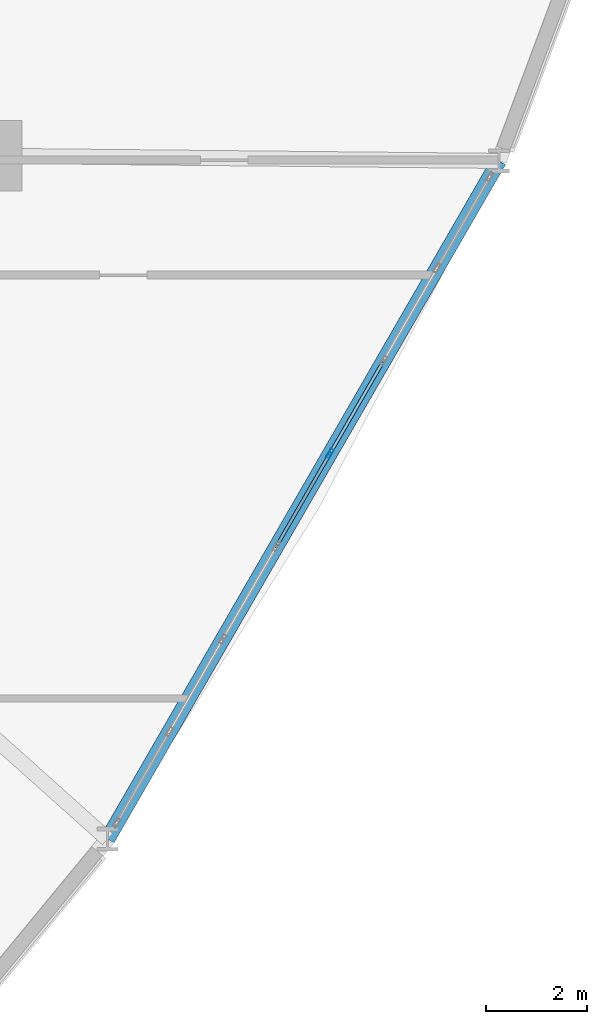
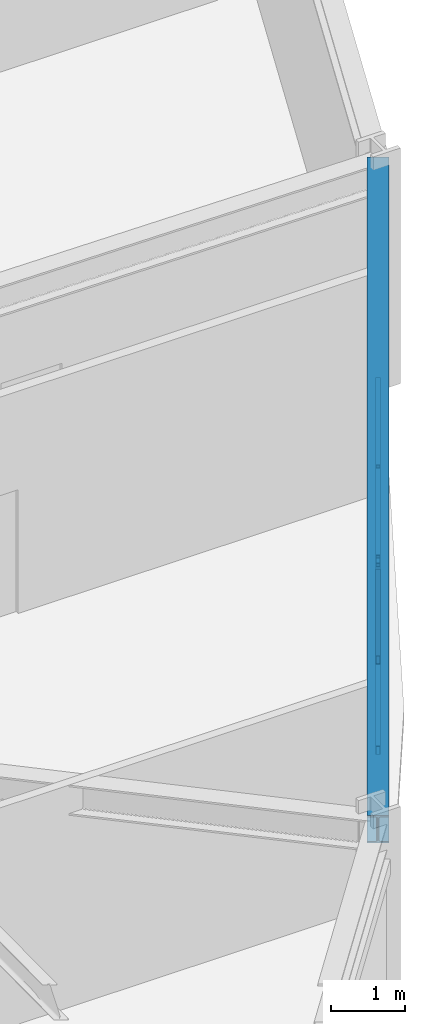
# One storey, part 8 of 22: 6 members, 1 beam, 1 element without a shape of its own.
"""IFC4 building model written with IfcOpenShell, lengths in metres."""

from ifc_helpers import new_model, si_unit, derived_unit, direction, frame, origin, origin_2d, place, context, subcontext, project, spatial, hollow_rectangle, i_section, extrude, source, transform, mapped, material, layer, layer_set, material_profile, profile_set, type_object, element, aggregate, save


model = new_model("IFC4")

# Units and contexts
model_context = context("Model", 3, precision=1e-05, world=origin(), true_north=direction((0.0, 1.0)))
body_context = subcontext(model_context, "Body", "Model", "MODEL_VIEW")
ifc_project = project(units=[si_unit("LENGTHUNIT", "METRE"), si_unit("AREAUNIT", "SQUARE_METRE"), si_unit("VOLUMEUNIT", "CUBIC_METRE"), si_unit("PLANEANGLEUNIT", "RADIAN"), si_unit("MASSUNIT", "GRAM", prefix="KILO"), derived_unit("THERMALTRANSMITTANCEUNIT", [(si_unit("POWERUNIT", "WATT"), 1), (si_unit("LENGTHUNIT", "METRE"), -2), (si_unit("THERMODYNAMICTEMPERATUREUNIT", "KELVIN"), -1)])], contexts=[model_context])

# Site, building, storey
site_placement = place(None, origin())
site = spatial("IfcSite", under=ifc_project, at=site_placement, CompositionType="ELEMENT")
building_placement = place(site_placement, origin())
building = spatial("IfcBuilding", under=site, at=building_placement, Name="Korsvarv Bourse and Concert Hall", CompositionType="ELEMENT")
storey_placement = place(building_placement, frame((0.0, 0.0, 51.300048828125)))
storey = spatial("IfcBuildingStorey", under=building, at=storey_placement, Name="L12", CompositionType="ELEMENT", Elevation=51.300048828125)

# Beam
ifc_material_1 = material(Name="Steel S355", Category="steel")
ifc_material_profile_1 = material_profile(ifc_material_1, i_section(OverallWidth=0.300048828125, OverallDepth=0.449951171875, WebThickness=0.013916015625, FlangeThickness=0.02587890625, FilletRadius=0.02099609375, at=origin_2d()), Name="HEB 450")
ifc_profile_set_1 = profile_set([ifc_material_profile_1], Name="Steel S355")
beam_type = type_object("IfcBeamType", Name="BM-HEB450", PredefinedType="SPANDREL", material=ifc_profile_set_1)
shared_shape_1 = source(origin(), body_context, "Body", "SweptSolid", [
    extrude(i_section(OverallWidth=0.300048828125, OverallDepth=0.449951171875, WebThickness=0.013916015625, FlangeThickness=0.02587890625, FilletRadius=0.02099609375, at=origin_2d()), origin(), (0.0, 0.0, 1.0), 15.569580078125),
])
beam_placement = place(storey_placement, frame((50.198486328125, 18.8134765625, 3.454833984375), z_axis=(0.499994378262, 0.866028649472, 0.0), x_axis=(-0.866028649472, 0.499994378262, 0.0)))
element("IfcBeam", 1, at=beam_placement, inside=storey, type_object=beam_type, Name="L12 beam B-08", PredefinedType="SPANDREL", context=body_context, shape_type="MappedRepresentation", body=[
    mapped(shared_shape_1, transform((0.0, 0.0, 0.0), scale=1.0)),
])

# Curtain wall, members
ifc_material_2 = material(Name="Anodised aluminium and triple low-E glazing", Category="glass")
ifc_layer = layer(ifc_material_2, 0.219970703125)
ifc_layer_set = layer_set([ifc_layer], Name="Anodised aluminium and triple low-E glazing")
curtain_wall_type = type_object("IfcCurtainWallType", Name="CW-SYS-1", PredefinedType="NOTDEFINED", material=ifc_layer_set)
curtain_wall_placement = place(storey_placement, origin())
curtain_wall = element("IfcCurtainWall", 2, at=curtain_wall_placement, inside=storey, type_object=curtain_wall_type, Name="L12 CW1 curtain wall CW-L12-F11", PredefinedType="NOTDEFINED")
ifc_material_3 = material(Name="Extruded aluminium EN AW-6063 T66", Category="aluminium")
ifc_material_profile_2 = material_profile(ifc_material_3, hollow_rectangle(XDim=0.070068359375, YDim=0.18994140625, WallThickness=0.0048828125, at=origin_2d()), Name="ALU-M 70x190")
ifc_profile_set_2 = profile_set([ifc_material_profile_2], Name="Extruded aluminium EN AW-6063 T66")
member_type_1 = type_object("IfcMemberType", Name="CWM-190", PredefinedType="MULLION", material=ifc_profile_set_2)
shared_shape_2 = source(origin(), body_context, "Body", "SweptSolid", [
    extrude(hollow_rectangle(XDim=0.070068359375, YDim=0.18994140625, WallThickness=0.0048828125, at=origin_2d()), origin(), (0.0, 0.0, 1.0), 3.22998046875),
])
member_1_placement = place(storey_placement, frame((54.623291015625, 26.477294921875, 0.0), z_axis=(0.0, 0.0, 1.0), x_axis=(-0.866025499647, 0.499999833962, 0.0)))
member_1 = element("IfcMember", 3, at=member_1_placement, type_object=member_type_1, Name="CW1 mullion 5", PredefinedType="MULLION", context=body_context, shape_type="MappedRepresentation", body=[
    mapped(shared_shape_2, transform((0.0, 0.0, 0.0), scale=1.0)),
])
ifc_material_profile_3 = material_profile(ifc_material_3, hollow_rectangle(XDim=0.06494140625, YDim=0.139892578125, WallThickness=0.00390625, at=origin_2d()), Name="ALU-T 65x140")
ifc_profile_set_3 = profile_set([ifc_material_profile_3], Name="Extruded aluminium EN AW-6063 T66")
member_type_2 = type_object("IfcMemberType", Name="CWT-140", PredefinedType="USERDEFINED", material=ifc_profile_set_3)
shared_shape_3 = source(origin(), body_context, "Body", "SweptSolid", [
    extrude(hollow_rectangle(XDim=0.06494140625, YDim=0.139892578125, WallThickness=0.00390625, at=origin_2d()), origin(), (0.0, 0.0, 1.0), 2.0595703125),
])
member_2_placement = place(storey_placement, frame((54.640625, 26.507568359375, 0.032470703125), z_axis=(0.499989236795, 0.866031617834, 0.0), x_axis=(-0.866031617834, 0.499989236795, 0.0)))
member_2 = element("IfcMember", 4, at=member_2_placement, type_object=member_type_2, Name="CW1 transom 5.1", ObjectType="TRANSOM", PredefinedType="USERDEFINED", context=body_context, shape_type="MappedRepresentation", body=[
    mapped(shared_shape_3, transform((0.0, 0.0, 0.0), scale=1.0)),
])
member_3_placement = place(storey_placement, frame((54.640625, 26.507568359375, 3.197509765625), z_axis=(0.499989236795, 0.866031617834, 0.0), x_axis=(-0.866031617834, 0.499989236795, 0.0)))
member_3 = element("IfcMember", 5, at=member_3_placement, type_object=member_type_2, Name="CW1 transom 5.2", ObjectType="TRANSOM", PredefinedType="USERDEFINED", context=body_context, shape_type="MappedRepresentation", body=[
    mapped(shared_shape_3, transform((0.0, 0.0, 0.0), scale=1.0)),
])
shared_shape_4 = source(origin(), body_context, "Body", "SweptSolid", [
    extrude(hollow_rectangle(XDim=0.06494140625, YDim=0.139892578125, WallThickness=0.00390625, at=origin_2d()), origin(), (0.0, 0.0, 1.0), 2.059326171875),
])
member_4_placement = place(storey_placement, frame((53.575927734375, 24.66357421875, 0.032470703125), z_axis=(0.500040568494, 0.866001980287, 0.0), x_axis=(-0.866001980287, 0.500040568494, 0.0)))
member_4 = element("IfcMember", 6, at=member_4_placement, type_object=member_type_2, Name="CW1 transom 4.1", ObjectType="TRANSOM", PredefinedType="USERDEFINED", context=body_context, shape_type="MappedRepresentation", body=[
    mapped(shared_shape_4, transform((0.0, 0.0, 0.0), scale=1.0)),
])
member_5_placement = place(storey_placement, frame((53.575927734375, 24.66357421875, 3.197509765625), z_axis=(0.500040568494, 0.866001980287, 0.0), x_axis=(-0.866001980287, 0.500040568494, 0.0)))
member_5 = element("IfcMember", 7, at=member_5_placement, type_object=member_type_2, Name="CW1 transom 4.2", ObjectType="TRANSOM", PredefinedType="USERDEFINED", context=body_context, shape_type="MappedRepresentation", body=[
    mapped(shared_shape_4, transform((0.0, 0.0, 0.0), scale=1.0)),
])
ifc_material_profile_4 = material_profile(ifc_material_3, hollow_rectangle(XDim=0.06494140625, YDim=0.1650390625, WallThickness=0.0048828125, at=origin_2d()), Name="ALU-M 65x165")
ifc_profile_set_4 = profile_set([ifc_material_profile_4], Name="Extruded aluminium EN AW-6063 T66")
member_type_3 = type_object("IfcMemberType", Name="CWM-165", PredefinedType="MULLION", material=ifc_profile_set_4)
shared_shape_5 = source(origin(), body_context, "Body", "SweptSolid", [
    extrude(hollow_rectangle(XDim=0.06494140625, YDim=0.1650390625, WallThickness=0.0048828125, at=origin_2d()), origin(), (0.0, 0.0, 1.0), 3.7216796875),
])
member_6_placement = place(storey_placement, frame((54.605712890625, 26.447021484375, 0.06494140625), z_axis=(-0.276690565279, -0.479190274862, 0.832957989075), x_axis=(0.866001980287, -0.500040568494, 0.0)))
member_6 = element("IfcMember", 8, at=member_6_placement, type_object=member_type_3, Name="CW1 diagonal mullion 4", PredefinedType="MULLION", context=body_context, shape_type="MappedRepresentation", body=[
    mapped(shared_shape_5, transform((0.0, 0.0, 0.0), scale=1.0)),
])
aggregate(curtain_wall, [member_1, member_4, member_5, member_6, member_2, member_3])

save(model, "model.ifc")
